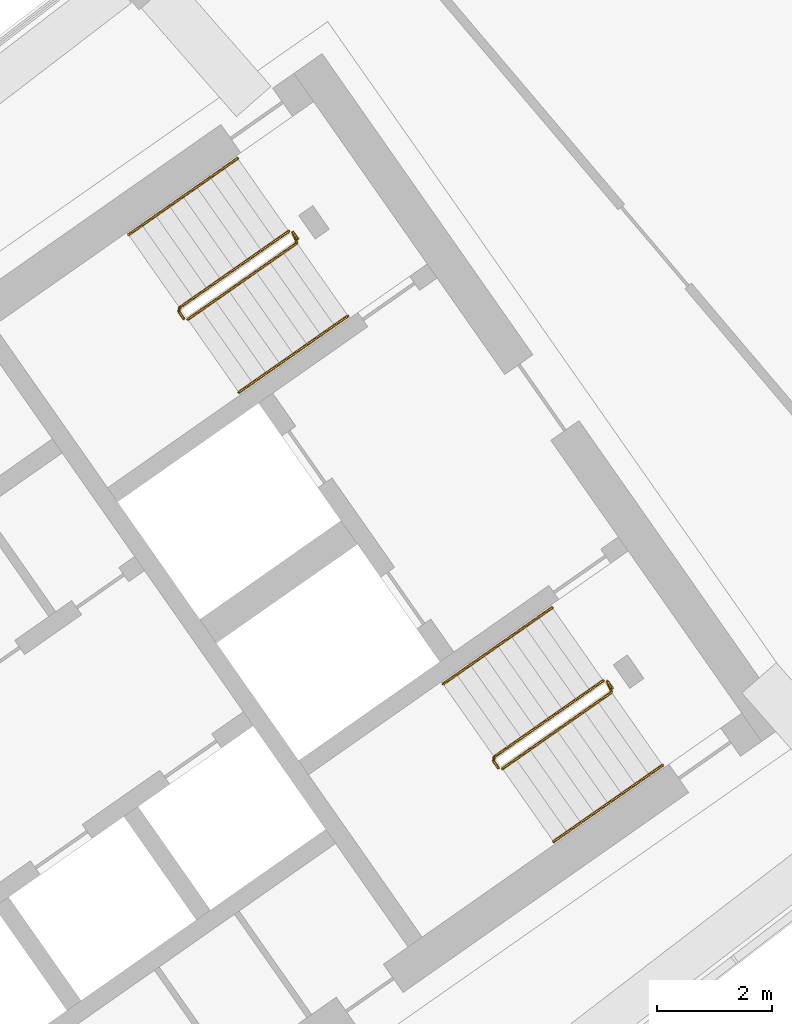
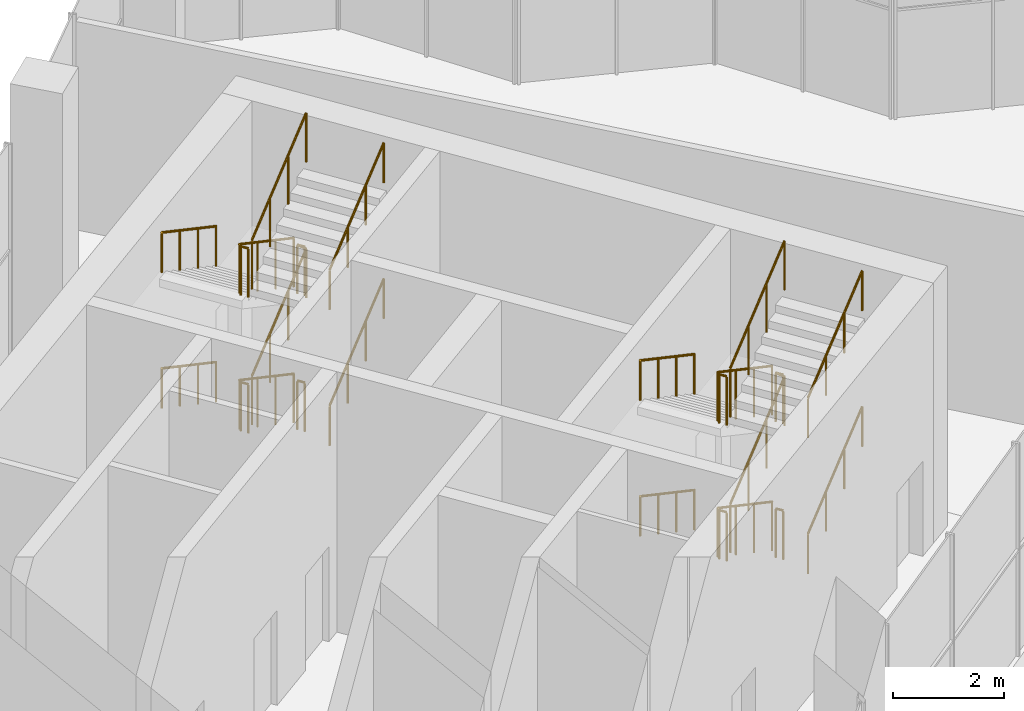
# One storey, part 41 of 41: 18 railings.
"""IFC4 building model written with IfcOpenShell, lengths in metres."""

from ifc_helpers import new_model, si_unit, direction, frame, origin, origin_2d, place, context, subcontext, project, spatial, circle, extrude, material, type_object, element, save


model = new_model("IFC4")

# Units and contexts
model_context = context("Model", 3, precision=1e-05, world=origin(), true_north=direction((0.0, 1.0)))
body_context = subcontext(model_context, "Body", "Model", "MODEL_VIEW")
ifc_project = project(units=[si_unit("LENGTHUNIT", "METRE"), si_unit("AREAUNIT", "SQUARE_METRE"), si_unit("VOLUMEUNIT", "CUBIC_METRE"), si_unit("PLANEANGLEUNIT", "RADIAN"), si_unit("MASSUNIT", "GRAM", prefix="KILO")], contexts=[model_context])

# Site, building, storey
site_placement = place(None, origin())
site = spatial("IfcSite", under=ifc_project, at=site_placement, CompositionType="ELEMENT")
building_placement = place(site_placement, origin())
building = spatial("IfcBuilding", under=site, at=building_placement, Name="Qamariyya Broadcast Tower", CompositionType="ELEMENT")
storey_placement = place(building_placement, frame((0.0, 0.0, 284.699951171875)))
storey = spatial("IfcBuildingStorey", under=building, at=storey_placement, Name="L69", CompositionType="ELEMENT", Elevation=284.699951171875)

# Railings
ifc_material_1 = material(Name="Painted steel", Category="steel")
railing_type_1 = type_object("IfcRailingType", Name="Stair guard", PredefinedType="GUARDRAIL", material=ifc_material_1)
railing_1_placement = place(storey_placement, frame((41.003173828125, -48.320068359375, 0.166748046875)))
element("IfcRailing", 1, at=railing_1_placement, inside=storey, type_object=railing_type_1, Name="L69 ST-E2 stair guard 1", PredefinedType="GUARDRAIL", context=body_context, shape_type="SweptSolid", body=[
    extrude(circle(Radius=0.02392578125, at=origin_2d()), frame((0.0, 0.0, 1.076171875), z_axis=(-0.710204262347, -0.497343709411, 0.498256099265), x_axis=(0.573617709636, -0.819123142874, 0.0)), (0.0, 0.0, 1.0), 2.67578125),
    extrude(circle(Radius=0.02392578125, at=origin_2d()), frame((-1.900390625, -1.330810546875, 2.4091796875), z_axis=(-0.172799478008, -0.984957024646, 0.0), x_axis=(0.984957024646, -0.172799478008, 0.0)), (0.0, 0.0, 1.0), 0.070556640625),
    extrude(circle(Radius=0.02392578125, at=origin_2d()), frame((-1.91259765625, -1.400390625, 2.4091796875), z_axis=(0.573353020881, -0.819308436089, 0.0), x_axis=(0.819308436089, 0.573353020881, 0.0)), (0.0, 0.0, 1.0), 0.14990234375),
    extrude(circle(Radius=0.02099609375, at=origin_2d()), origin(), (0.0, 0.0, 1.0), 1.052001953125),
    extrude(circle(Radius=0.02099609375, at=origin_2d()), frame((-0.633544921875, -0.443603515625, 0.4443359375)), (0.0, 0.0, 1.0), 1.052001953125),
    extrude(circle(Radius=0.02099609375, at=origin_2d()), frame((-1.266845703125, -0.88720703125, 0.888916015625)), (0.0, 0.0, 1.0), 1.052001953125),
    extrude(circle(Radius=0.02099609375, at=origin_2d()), frame((-1.900390625, -1.330810546875, 1.333251953125)), (0.0, 0.0, 1.0), 1.052001953125),
    extrude(circle(Radius=0.02099609375, at=origin_2d()), frame((-1.91259765625, -1.400390625, 1.333251953125)), (0.0, 0.0, 1.0), 1.052001953125),
    extrude(circle(Radius=0.02099609375, at=origin_2d()), frame((-1.82666015625, -1.523193359375, 1.333251953125)), (0.0, 0.0, 1.0), 1.052001953125),
])
railing_2_placement = place(storey_placement, frame((39.246337890625, -49.85546875, 1.666748046875)))
element("IfcRailing", 2, at=railing_2_placement, inside=storey, type_object=railing_type_1, Name="L69 ST-E2 stair guard 2", PredefinedType="GUARDRAIL", context=body_context, shape_type="SweptSolid", body=[
    extrude(circle(Radius=0.02392578125, at=origin_2d()), frame((0.0, 0.0, 1.076171875), z_axis=(0.710236488619, 0.497275033784, 0.498278708164), x_axis=(-0.57354709673, 0.81917258733, 0.0)), (0.0, 0.0, 1.0), 2.67578125),
    extrude(circle(Radius=0.02392578125, at=origin_2d()), frame((1.900390625, 1.33056640625, 2.4091796875), z_axis=(-0.35747155403, 0.93392402692, 0.0), x_axis=(-0.93392402692, -0.35747155403, 0.0)), (0.0, 0.0, 1.0), 0.206298828125),
    extrude(circle(Radius=0.02392578125, at=origin_2d()), frame((1.82666015625, 1.523193359375, 2.4091796875), z_axis=(0.572588637393, -0.819842821722, 0.0), x_axis=(0.819842821722, 0.572588637393, 0.0)), (0.0, 0.0, 1.0), 0.150146484375),
    extrude(circle(Radius=0.02099609375, at=origin_2d()), origin(), (0.0, 0.0, 1.0), 1.052001953125),
    extrude(circle(Radius=0.02099609375, at=origin_2d()), frame((0.633544921875, 0.443603515625, 0.4443359375)), (0.0, 0.0, 1.0), 1.052001953125),
    extrude(circle(Radius=0.02099609375, at=origin_2d()), frame((1.266845703125, 0.886962890625, 0.888916015625)), (0.0, 0.0, 1.0), 1.052001953125),
    extrude(circle(Radius=0.02099609375, at=origin_2d()), frame((1.900390625, 1.33056640625, 1.333251953125)), (0.0, 0.0, 1.0), 1.052001953125),
    extrude(circle(Radius=0.02099609375, at=origin_2d()), frame((1.82666015625, 1.523193359375, 1.333251953125)), (0.0, 0.0, 1.0), 1.052001953125),
    extrude(circle(Radius=0.02099609375, at=origin_2d()), frame((1.91259765625, 1.400146484375, 1.333251953125)), (0.0, 0.0, 1.0), 1.052001953125),
])
railing_3_placement = place(storey_placement, frame((41.003173828125, -48.320068359375, 3.166748046875)))
element("IfcRailing", 3, at=railing_3_placement, inside=storey, type_object=railing_type_1, Name="L69 ST-E2 stair guard 3", PredefinedType="GUARDRAIL", context=body_context, shape_type="SweptSolid", body=[
    extrude(circle(Radius=0.02392578125, at=origin_2d()), frame((0.0, 0.0, 1.076171875), z_axis=(-0.710204262347, -0.497343709411, 0.498256099265), x_axis=(0.573617709636, -0.819123142874, 0.0)), (0.0, 0.0, 1.0), 2.67578125),
    extrude(circle(Radius=0.02392578125, at=origin_2d()), frame((-1.900390625, -1.330810546875, 2.4091796875), z_axis=(-0.172799478008, -0.984957024646, 0.0), x_axis=(0.984957024646, -0.172799478008, 0.0)), (0.0, 0.0, 1.0), 0.070556640625),
    extrude(circle(Radius=0.02392578125, at=origin_2d()), frame((-1.91259765625, -1.400390625, 2.4091796875), z_axis=(0.573353020881, -0.819308436089, 0.0), x_axis=(0.819308436089, 0.573353020881, 0.0)), (0.0, 0.0, 1.0), 0.14990234375),
    extrude(circle(Radius=0.02099609375, at=origin_2d()), origin(), (0.0, 0.0, 1.0), 1.052001953125),
    extrude(circle(Radius=0.02099609375, at=origin_2d()), frame((-0.633544921875, -0.443603515625, 0.4443359375)), (0.0, 0.0, 1.0), 1.052001953125),
    extrude(circle(Radius=0.02099609375, at=origin_2d()), frame((-1.266845703125, -0.88720703125, 0.888916015625)), (0.0, 0.0, 1.0), 1.052001953125),
    extrude(circle(Radius=0.02099609375, at=origin_2d()), frame((-1.900390625, -1.330810546875, 1.333251953125)), (0.0, 0.0, 1.0), 1.052001953125),
    extrude(circle(Radius=0.02099609375, at=origin_2d()), frame((-1.91259765625, -1.400390625, 1.333251953125)), (0.0, 0.0, 1.0), 1.052001953125),
    extrude(circle(Radius=0.02099609375, at=origin_2d()), frame((-1.82666015625, -1.523193359375, 1.333251953125)), (0.0, 0.0, 1.0), 1.052001953125),
])
railing_4_placement = place(storey_placement, frame((39.246337890625, -49.85546875, 4.666748046875)))
element("IfcRailing", 4, at=railing_4_placement, inside=storey, type_object=railing_type_1, Name="L69 ST-E2 stair guard 4", PredefinedType="GUARDRAIL", context=body_context, shape_type="SweptSolid", body=[
    extrude(circle(Radius=0.02392578125, at=origin_2d()), frame((0.0, 0.0, 1.076171875), z_axis=(0.710236488619, 0.497275033784, 0.498278708164), x_axis=(-0.57354709673, 0.81917258733, 0.0)), (0.0, 0.0, 1.0), 2.67578125),
    extrude(circle(Radius=0.02099609375, at=origin_2d()), origin(), (0.0, 0.0, 1.0), 1.052001953125),
    extrude(circle(Radius=0.02099609375, at=origin_2d()), frame((0.633544921875, 0.443603515625, 0.4443359375)), (0.0, 0.0, 1.0), 1.052001953125),
    extrude(circle(Radius=0.02099609375, at=origin_2d()), frame((1.266845703125, 0.886962890625, 0.888916015625)), (0.0, 0.0, 1.0), 1.052001953125),
    extrude(circle(Radius=0.02099609375, at=origin_2d()), frame((1.900390625, 1.33056640625, 1.333251953125)), (0.0, 0.0, 1.0), 1.052001953125),
])
railing_5_placement = place(storey_placement, frame((41.072998046875, -48.332275390625, 0.0)))
element("IfcRailing", 5, at=railing_5_placement, inside=storey, type_object=railing_type_1, Name="L69 ST-E2 stair guard 5", PredefinedType="GUARDRAIL", context=body_context, shape_type="SweptSolid", body=[
    extrude(circle(Radius=0.02392578125, at=origin_2d()), frame((0.0, 0.0, 1.076171875), z_axis=(0.572588637393, -0.819842821722, 0.0), x_axis=(0.819842821722, 0.572588637393, 0.0)), (0.0, 0.0, 1.0), 0.150146484375),
    extrude(circle(Radius=0.02099609375, at=origin_2d()), origin(), (0.0, 0.0, 1.0), 1.052001953125),
    extrude(circle(Radius=0.02099609375, at=origin_2d()), frame((0.0859375, -0.123046875, 0.0)), (0.0, 0.0, 1.0), 1.052001953125),
])
railing_6_placement = place(storey_placement, frame((46.48095703125, -56.14306640625, 0.166748046875)))
element("IfcRailing", 6, at=railing_6_placement, inside=storey, type_object=railing_type_1, Name="L69 ST-E1 stair guard 1", PredefinedType="GUARDRAIL", context=body_context, shape_type="SweptSolid", body=[
    extrude(circle(Radius=0.02392578125, at=origin_2d()), frame((0.0, 0.0, 1.076171875), z_axis=(-0.710236488619, -0.497275033784, 0.498278708164), x_axis=(0.57354709673, -0.81917258733, 0.0)), (0.0, 0.0, 1.0), 2.67578125),
    extrude(circle(Radius=0.02392578125, at=origin_2d()), frame((-1.900390625, -1.33056640625, 2.4091796875), z_axis=(-0.176149252506, -0.984363469884, 0.0), x_axis=(0.984363469884, -0.176149252506, 0.0)), (0.0, 0.0, 1.0), 0.07080078125),
    extrude(circle(Radius=0.02392578125, at=origin_2d()), frame((-1.912841796875, -1.400146484375, 2.4091796875), z_axis=(0.57368046593, -0.819079192149, 0.0), x_axis=(0.819079192149, 0.57368046593, 0.0)), (0.0, 0.0, 1.0), 0.150146484375),
    extrude(circle(Radius=0.02099609375, at=origin_2d()), origin(), (0.0, 0.0, 1.0), 1.052001953125),
    extrude(circle(Radius=0.02099609375, at=origin_2d()), frame((-0.633544921875, -0.443603515625, 0.4443359375)), (0.0, 0.0, 1.0), 1.052001953125),
    extrude(circle(Radius=0.02099609375, at=origin_2d()), frame((-1.266845703125, -0.886962890625, 0.888916015625)), (0.0, 0.0, 1.0), 1.052001953125),
    extrude(circle(Radius=0.02099609375, at=origin_2d()), frame((-1.900390625, -1.33056640625, 1.333251953125)), (0.0, 0.0, 1.0), 1.052001953125),
    extrude(circle(Radius=0.02099609375, at=origin_2d()), frame((-1.912841796875, -1.400146484375, 1.333251953125)), (0.0, 0.0, 1.0), 1.052001953125),
    extrude(circle(Radius=0.02099609375, at=origin_2d()), frame((-1.82666015625, -1.523193359375, 1.333251953125)), (0.0, 0.0, 1.0), 1.052001953125),
])
railing_7_placement = place(storey_placement, frame((44.723876953125, -57.678466796875, 1.666748046875)))
element("IfcRailing", 7, at=railing_7_placement, inside=storey, type_object=railing_type_1, Name="L69 ST-E1 stair guard 2", PredefinedType="GUARDRAIL", context=body_context, shape_type="SweptSolid", body=[
    extrude(circle(Radius=0.02392578125, at=origin_2d()), frame((0.0, 0.0, 1.076171875), z_axis=(0.710204262347, 0.497343709411, 0.498256099265), x_axis=(-0.573617709636, 0.819123142874, 0.0)), (0.0, 0.0, 1.0), 2.67578125),
    extrude(circle(Radius=0.02392578125, at=origin_2d()), frame((1.900390625, 1.330810546875, 2.4091796875), z_axis=(-0.357867132547, 0.933772518038, 0.0), x_axis=(-0.933772518038, -0.357867132547, 0.0)), (0.0, 0.0, 1.0), 0.2060546875),
    extrude(circle(Radius=0.02392578125, at=origin_2d()), frame((1.82666015625, 1.523193359375, 2.4091796875), z_axis=(0.574444878118, -0.818543268254, 0.0), x_axis=(0.818543268254, 0.574444878118, 0.0)), (0.0, 0.0, 1.0), 0.150146484375),
    extrude(circle(Radius=0.02099609375, at=origin_2d()), origin(), (0.0, 0.0, 1.0), 1.052001953125),
    extrude(circle(Radius=0.02099609375, at=origin_2d()), frame((0.633544921875, 0.443603515625, 0.4443359375)), (0.0, 0.0, 1.0), 1.052001953125),
    extrude(circle(Radius=0.02099609375, at=origin_2d()), frame((1.266845703125, 0.88720703125, 0.888916015625)), (0.0, 0.0, 1.0), 1.052001953125),
    extrude(circle(Radius=0.02099609375, at=origin_2d()), frame((1.900390625, 1.330810546875, 1.333251953125)), (0.0, 0.0, 1.0), 1.052001953125),
    extrude(circle(Radius=0.02099609375, at=origin_2d()), frame((1.82666015625, 1.523193359375, 1.333251953125)), (0.0, 0.0, 1.0), 1.052001953125),
    extrude(circle(Radius=0.02099609375, at=origin_2d()), frame((1.912841796875, 1.400390625, 1.333251953125)), (0.0, 0.0, 1.0), 1.052001953125),
])
railing_8_placement = place(storey_placement, frame((46.48095703125, -56.14306640625, 3.166748046875)))
element("IfcRailing", 8, at=railing_8_placement, inside=storey, type_object=railing_type_1, Name="L69 ST-E1 stair guard 3", PredefinedType="GUARDRAIL", context=body_context, shape_type="SweptSolid", body=[
    extrude(circle(Radius=0.02392578125, at=origin_2d()), frame((0.0, 0.0, 1.076171875), z_axis=(-0.710236488619, -0.497275033784, 0.498278708164), x_axis=(0.57354709673, -0.81917258733, 0.0)), (0.0, 0.0, 1.0), 2.67578125),
    extrude(circle(Radius=0.02392578125, at=origin_2d()), frame((-1.900390625, -1.33056640625, 2.4091796875), z_axis=(-0.176149252506, -0.984363469884, 0.0), x_axis=(0.984363469884, -0.176149252506, 0.0)), (0.0, 0.0, 1.0), 0.07080078125),
    extrude(circle(Radius=0.02392578125, at=origin_2d()), frame((-1.912841796875, -1.400146484375, 2.4091796875), z_axis=(0.57368046593, -0.819079192149, 0.0), x_axis=(0.819079192149, 0.57368046593, 0.0)), (0.0, 0.0, 1.0), 0.150146484375),
    extrude(circle(Radius=0.02099609375, at=origin_2d()), origin(), (0.0, 0.0, 1.0), 1.052001953125),
    extrude(circle(Radius=0.02099609375, at=origin_2d()), frame((-0.633544921875, -0.443603515625, 0.4443359375)), (0.0, 0.0, 1.0), 1.052001953125),
    extrude(circle(Radius=0.02099609375, at=origin_2d()), frame((-1.266845703125, -0.886962890625, 0.888916015625)), (0.0, 0.0, 1.0), 1.052001953125),
    extrude(circle(Radius=0.02099609375, at=origin_2d()), frame((-1.900390625, -1.33056640625, 1.333251953125)), (0.0, 0.0, 1.0), 1.052001953125),
    extrude(circle(Radius=0.02099609375, at=origin_2d()), frame((-1.912841796875, -1.400146484375, 1.333251953125)), (0.0, 0.0, 1.0), 1.052001953125),
    extrude(circle(Radius=0.02099609375, at=origin_2d()), frame((-1.82666015625, -1.523193359375, 1.333251953125)), (0.0, 0.0, 1.0), 1.052001953125),
])
railing_9_placement = place(storey_placement, frame((44.723876953125, -57.678466796875, 4.666748046875)))
element("IfcRailing", 9, at=railing_9_placement, inside=storey, type_object=railing_type_1, Name="L69 ST-E1 stair guard 4", PredefinedType="GUARDRAIL", context=body_context, shape_type="SweptSolid", body=[
    extrude(circle(Radius=0.02392578125, at=origin_2d()), frame((0.0, 0.0, 1.076171875), z_axis=(0.710204262347, 0.497343709411, 0.498256099265), x_axis=(-0.573617709636, 0.819123142874, 0.0)), (0.0, 0.0, 1.0), 2.67578125),
    extrude(circle(Radius=0.02099609375, at=origin_2d()), origin(), (0.0, 0.0, 1.0), 1.052001953125),
    extrude(circle(Radius=0.02099609375, at=origin_2d()), frame((0.633544921875, 0.443603515625, 0.4443359375)), (0.0, 0.0, 1.0), 1.052001953125),
    extrude(circle(Radius=0.02099609375, at=origin_2d()), frame((1.266845703125, 0.88720703125, 0.888916015625)), (0.0, 0.0, 1.0), 1.052001953125),
    extrude(circle(Radius=0.02099609375, at=origin_2d()), frame((1.900390625, 1.330810546875, 1.333251953125)), (0.0, 0.0, 1.0), 1.052001953125),
])
railing_10_placement = place(storey_placement, frame((46.550537109375, -56.1552734375, 0.0)))
element("IfcRailing", 10, at=railing_10_placement, inside=storey, type_object=railing_type_1, Name="L69 ST-E1 stair guard 5", PredefinedType="GUARDRAIL", context=body_context, shape_type="SweptSolid", body=[
    extrude(circle(Radius=0.02392578125, at=origin_2d()), frame((0.0, 0.0, 1.076171875), z_axis=(0.574444878118, -0.818543268254, 0.0), x_axis=(0.818543268254, 0.574444878118, 0.0)), (0.0, 0.0, 1.0), 0.150146484375),
    extrude(circle(Radius=0.02099609375, at=origin_2d()), origin(), (0.0, 0.0, 1.0), 1.052001953125),
    extrude(circle(Radius=0.02099609375, at=origin_2d()), frame((0.086181640625, -0.122802734375, 0.0)), (0.0, 0.0, 1.0), 1.052001953125),
])
ifc_material_2 = material(Name="Stainless steel", Category="steel")
railing_type_2 = type_object("IfcRailingType", Name="Stair handrail", PredefinedType="HANDRAIL", material=ifc_material_2)
railing_11_placement = place(storey_placement, frame((40.1142578125, -47.05029296875, 0.166748046875)))
element("IfcRailing", 11, at=railing_11_placement, inside=storey, type_object=railing_type_2, Name="L69 ST-E2 stair handrail 1", PredefinedType="HANDRAIL", context=body_context, shape_type="SweptSolid", body=[
    extrude(circle(Radius=0.02392578125, at=origin_2d()), frame((0.0, 0.0, 0.8759765625), z_axis=(-0.710204262347, -0.497343709411, 0.498256099265), x_axis=(0.573617709636, -0.819123142874, 0.0)), (0.0, 0.0, 1.0), 2.67578125),
    extrude(circle(Radius=0.02099609375, at=origin_2d()), origin(), (0.0, 0.0, 1.0), 0.851806640625),
    extrude(circle(Radius=0.02099609375, at=origin_2d()), frame((-0.633544921875, -0.443603515625, 0.4443359375)), (0.0, 0.0, 1.0), 0.851806640625),
    extrude(circle(Radius=0.02099609375, at=origin_2d()), frame((-1.266845703125, -0.88720703125, 0.888916015625)), (0.0, 0.0, 1.0), 0.851806640625),
    extrude(circle(Radius=0.02099609375, at=origin_2d()), frame((-1.900390625, -1.330810546875, 1.333251953125)), (0.0, 0.0, 1.0), 0.851806640625),
])
railing_12_placement = place(storey_placement, frame((40.13525390625, -51.125244140625, 1.666748046875)))
element("IfcRailing", 12, at=railing_12_placement, inside=storey, type_object=railing_type_2, Name="L69 ST-E2 stair handrail 2", PredefinedType="HANDRAIL", context=body_context, shape_type="SweptSolid", body=[
    extrude(circle(Radius=0.02392578125, at=origin_2d()), frame((0.0, 0.0, 0.8759765625), z_axis=(0.710204262347, 0.497343709411, 0.498256099265), x_axis=(-0.573617709636, 0.819123142874, 0.0)), (0.0, 0.0, 1.0), 2.67578125),
    extrude(circle(Radius=0.02099609375, at=origin_2d()), origin(), (0.0, 0.0, 1.0), 0.851806640625),
    extrude(circle(Radius=0.02099609375, at=origin_2d()), frame((0.633544921875, 0.443603515625, 0.4443359375)), (0.0, 0.0, 1.0), 0.851806640625),
    extrude(circle(Radius=0.02099609375, at=origin_2d()), frame((1.266845703125, 0.88720703125, 0.888916015625)), (0.0, 0.0, 1.0), 0.851806640625),
    extrude(circle(Radius=0.02099609375, at=origin_2d()), frame((1.900390625, 1.330810546875, 1.333251953125)), (0.0, 0.0, 1.0), 0.851806640625),
])
railing_13_placement = place(storey_placement, frame((40.1142578125, -47.05029296875, 3.166748046875)))
element("IfcRailing", 13, at=railing_13_placement, inside=storey, type_object=railing_type_2, Name="L69 ST-E2 stair handrail 3", PredefinedType="HANDRAIL", context=body_context, shape_type="SweptSolid", body=[
    extrude(circle(Radius=0.02392578125, at=origin_2d()), frame((0.0, 0.0, 0.8759765625), z_axis=(-0.710204262347, -0.497343709411, 0.498256099265), x_axis=(0.573617709636, -0.819123142874, 0.0)), (0.0, 0.0, 1.0), 2.67578125),
    extrude(circle(Radius=0.02099609375, at=origin_2d()), origin(), (0.0, 0.0, 1.0), 0.851806640625),
    extrude(circle(Radius=0.02099609375, at=origin_2d()), frame((-0.633544921875, -0.443603515625, 0.4443359375)), (0.0, 0.0, 1.0), 0.851806640625),
    extrude(circle(Radius=0.02099609375, at=origin_2d()), frame((-1.266845703125, -0.88720703125, 0.888916015625)), (0.0, 0.0, 1.0), 0.851806640625),
    extrude(circle(Radius=0.02099609375, at=origin_2d()), frame((-1.900390625, -1.330810546875, 1.333251953125)), (0.0, 0.0, 1.0), 0.851806640625),
])
railing_14_placement = place(storey_placement, frame((40.13525390625, -51.125244140625, 4.666748046875)))
element("IfcRailing", 14, at=railing_14_placement, inside=storey, type_object=railing_type_2, Name="L69 ST-E2 stair handrail 4", PredefinedType="HANDRAIL", context=body_context, shape_type="SweptSolid", body=[
    extrude(circle(Radius=0.02392578125, at=origin_2d()), frame((0.0, 0.0, 0.8759765625), z_axis=(0.710204262347, 0.497343709411, 0.498256099265), x_axis=(-0.573617709636, 0.819123142874, 0.0)), (0.0, 0.0, 1.0), 2.67578125),
    extrude(circle(Radius=0.02099609375, at=origin_2d()), origin(), (0.0, 0.0, 1.0), 0.851806640625),
    extrude(circle(Radius=0.02099609375, at=origin_2d()), frame((0.633544921875, 0.443603515625, 0.4443359375)), (0.0, 0.0, 1.0), 0.851806640625),
    extrude(circle(Radius=0.02099609375, at=origin_2d()), frame((1.266845703125, 0.88720703125, 0.888916015625)), (0.0, 0.0, 1.0), 0.851806640625),
    extrude(circle(Radius=0.02099609375, at=origin_2d()), frame((1.900390625, 1.330810546875, 1.333251953125)), (0.0, 0.0, 1.0), 0.851806640625),
])
railing_15_placement = place(storey_placement, frame((45.591796875, -54.873291015625, 0.166748046875)))
element("IfcRailing", 15, at=railing_15_placement, inside=storey, type_object=railing_type_2, Name="L69 ST-E1 stair handrail 1", PredefinedType="HANDRAIL", context=body_context, shape_type="SweptSolid", body=[
    extrude(circle(Radius=0.02392578125, at=origin_2d()), frame((0.0, 0.0, 0.8759765625), z_axis=(-0.710204262347, -0.497343709411, 0.498256099265), x_axis=(0.573617709636, -0.819123142874, 0.0)), (0.0, 0.0, 1.0), 2.67578125),
    extrude(circle(Radius=0.02099609375, at=origin_2d()), origin(), (0.0, 0.0, 1.0), 0.851806640625),
    extrude(circle(Radius=0.02099609375, at=origin_2d()), frame((-0.633544921875, -0.443603515625, 0.4443359375)), (0.0, 0.0, 1.0), 0.851806640625),
    extrude(circle(Radius=0.02099609375, at=origin_2d()), frame((-1.266845703125, -0.88720703125, 0.888916015625)), (0.0, 0.0, 1.0), 0.851806640625),
    extrude(circle(Radius=0.02099609375, at=origin_2d()), frame((-1.900390625, -1.330810546875, 1.333251953125)), (0.0, 0.0, 1.0), 0.851806640625),
])
railing_16_placement = place(storey_placement, frame((45.613037109375, -58.9482421875, 1.666748046875)))
element("IfcRailing", 16, at=railing_16_placement, inside=storey, type_object=railing_type_2, Name="L69 ST-E1 stair handrail 2", PredefinedType="HANDRAIL", context=body_context, shape_type="SweptSolid", body=[
    extrude(circle(Radius=0.02392578125, at=origin_2d()), frame((0.0, 0.0, 0.8759765625), z_axis=(0.710204262347, 0.497343709411, 0.498256099265), x_axis=(-0.573617709636, 0.819123142874, 0.0)), (0.0, 0.0, 1.0), 2.67578125),
    extrude(circle(Radius=0.02099609375, at=origin_2d()), origin(), (0.0, 0.0, 1.0), 0.851806640625),
    extrude(circle(Radius=0.02099609375, at=origin_2d()), frame((0.633544921875, 0.443603515625, 0.4443359375)), (0.0, 0.0, 1.0), 0.851806640625),
    extrude(circle(Radius=0.02099609375, at=origin_2d()), frame((1.266845703125, 0.88720703125, 0.888916015625)), (0.0, 0.0, 1.0), 0.851806640625),
    extrude(circle(Radius=0.02099609375, at=origin_2d()), frame((1.900390625, 1.330810546875, 1.333251953125)), (0.0, 0.0, 1.0), 0.851806640625),
])
railing_17_placement = place(storey_placement, frame((45.591796875, -54.873291015625, 3.166748046875)))
element("IfcRailing", 17, at=railing_17_placement, inside=storey, type_object=railing_type_2, Name="L69 ST-E1 stair handrail 3", PredefinedType="HANDRAIL", context=body_context, shape_type="SweptSolid", body=[
    extrude(circle(Radius=0.02392578125, at=origin_2d()), frame((0.0, 0.0, 0.8759765625), z_axis=(-0.710204262347, -0.497343709411, 0.498256099265), x_axis=(0.573617709636, -0.819123142874, 0.0)), (0.0, 0.0, 1.0), 2.67578125),
    extrude(circle(Radius=0.02099609375, at=origin_2d()), origin(), (0.0, 0.0, 1.0), 0.851806640625),
    extrude(circle(Radius=0.02099609375, at=origin_2d()), frame((-0.633544921875, -0.443603515625, 0.4443359375)), (0.0, 0.0, 1.0), 0.851806640625),
    extrude(circle(Radius=0.02099609375, at=origin_2d()), frame((-1.266845703125, -0.88720703125, 0.888916015625)), (0.0, 0.0, 1.0), 0.851806640625),
    extrude(circle(Radius=0.02099609375, at=origin_2d()), frame((-1.900390625, -1.330810546875, 1.333251953125)), (0.0, 0.0, 1.0), 0.851806640625),
])
railing_18_placement = place(storey_placement, frame((45.613037109375, -58.9482421875, 4.666748046875)))
element("IfcRailing", 18, at=railing_18_placement, inside=storey, type_object=railing_type_2, Name="L69 ST-E1 stair handrail 4", PredefinedType="HANDRAIL", context=body_context, shape_type="SweptSolid", body=[
    extrude(circle(Radius=0.02392578125, at=origin_2d()), frame((0.0, 0.0, 0.8759765625), z_axis=(0.710204262347, 0.497343709411, 0.498256099265), x_axis=(-0.573617709636, 0.819123142874, 0.0)), (0.0, 0.0, 1.0), 2.67578125),
    extrude(circle(Radius=0.02099609375, at=origin_2d()), origin(), (0.0, 0.0, 1.0), 0.851806640625),
    extrude(circle(Radius=0.02099609375, at=origin_2d()), frame((0.633544921875, 0.443603515625, 0.4443359375)), (0.0, 0.0, 1.0), 0.851806640625),
    extrude(circle(Radius=0.02099609375, at=origin_2d()), frame((1.266845703125, 0.88720703125, 0.888916015625)), (0.0, 0.0, 1.0), 0.851806640625),
    extrude(circle(Radius=0.02099609375, at=origin_2d()), frame((1.900390625, 1.330810546875, 1.333251953125)), (0.0, 0.0, 1.0), 0.851806640625),
])

save(model, "model.ifc")
